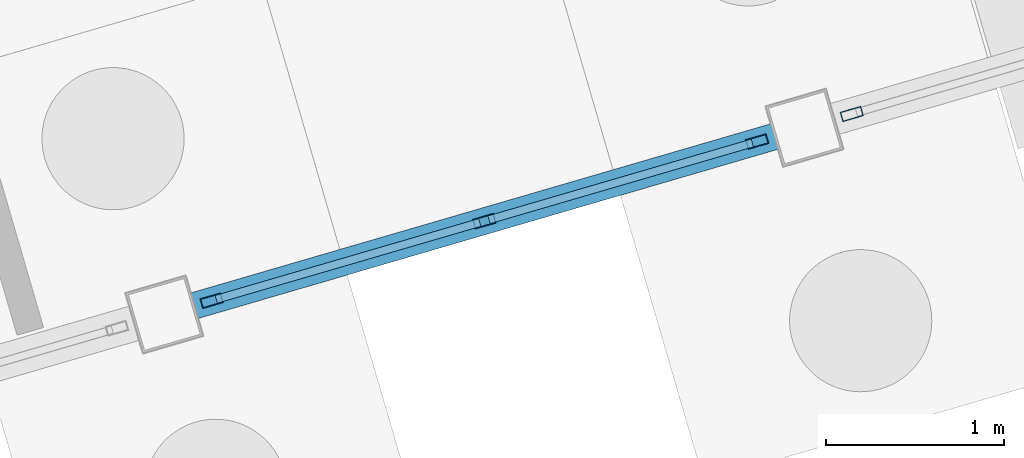
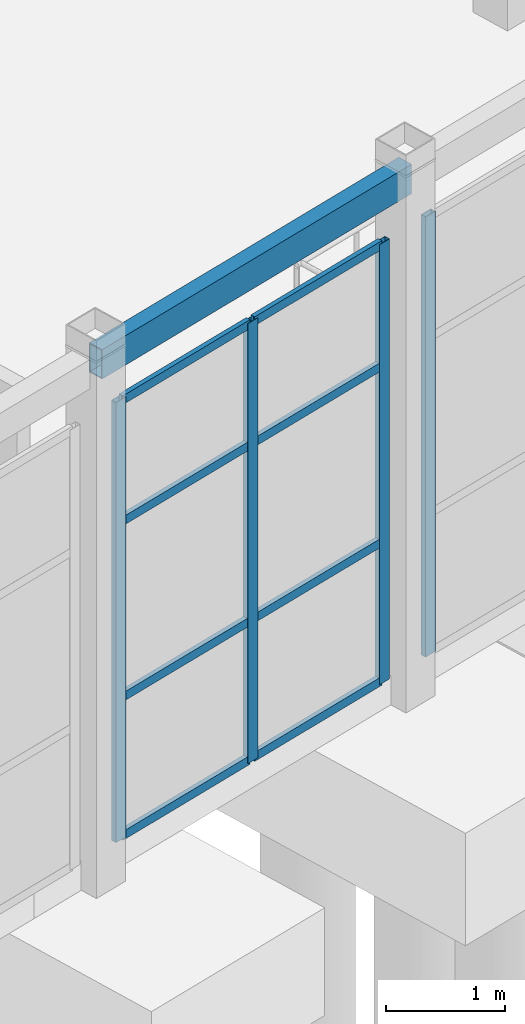
# One storey, part 29 of 90: 12 members, 1 beam, 2 elements without a shape of their own.
"""IFC4 building model written with IfcOpenShell, lengths in metres."""

from ifc_helpers import new_model, si_unit, direction, frame, origin, origin_2d, place, context, subcontext, project, spatial, hollow_rectangle, extrude, material, layer, layer_set, material_profile, profile_set, type_object, element, aggregate, save


model = new_model("IFC4")

# Units and contexts
model_context = context("Model", 3, precision=1e-05, world=origin(), true_north=direction((0.0, 1.0)))
body_context = subcontext(model_context, "Body", "Model", "MODEL_VIEW")
ifc_project = project(units=[si_unit("LENGTHUNIT", "METRE"), si_unit("AREAUNIT", "SQUARE_METRE"), si_unit("VOLUMEUNIT", "CUBIC_METRE"), si_unit("PLANEANGLEUNIT", "RADIAN"), si_unit("MASSUNIT", "GRAM", prefix="KILO")], contexts=[model_context])

# Site, building, storey
site_placement = place(None, origin())
site = spatial("IfcSite", under=ifc_project, at=site_placement, CompositionType="ELEMENT")
building_placement = place(site_placement, origin())
building = spatial("IfcBuilding", under=site, at=building_placement, Name="Canggui Botanical Conservatory", CompositionType="ELEMENT")
storey_placement = place(building_placement, origin())
storey = spatial("IfcBuildingStorey", under=building, at=storey_placement, Name="L01", CompositionType="ELEMENT", Elevation=0.0)

# Beam
ifc_material_1 = material(Name="Steel Q355B", Category="steel")
ifc_material_profile_1 = material_profile(ifc_material_1, hollow_rectangle(XDim=0.14990234375, YDim=0.300048828125, WallThickness=0.010009765625, at=origin_2d()), Name="RHS 150x300x10")
ifc_profile_set_1 = profile_set([ifc_material_profile_1], Name="Steel Q355B")
beam_type = type_object("IfcBeamType", Name="BM-GL12", PredefinedType="BEAM", material=ifc_profile_set_1)
beam_placement = place(storey_placement, frame((38.0, 47.25, 5.02490234375), z_axis=(0.959998541695, 0.280004999853, 0.0), x_axis=(-0.280004999853, 0.959998541695, 0.0)))
element("IfcBeam", 1, at=beam_placement, inside=storey, type_object=beam_type, Name="Conservatory Skywalk Perimeter Girder V0-06", PredefinedType="BEAM", context=body_context, shape_type="SweptSolid", body=[
    extrude(hollow_rectangle(XDim=0.14990234375, YDim=0.300048828125, WallThickness=0.010009765625, at=origin_2d()), origin(), (0.0, 0.0, 1.0), 3.75),
])

# Curtain wall, members
ifc_material_2 = material(Name="Thermally Broken Aluminium", Category="aluminium")
ifc_layer = layer(ifc_material_2, 0.1201171875, Name="Thermally Broken Aluminium", Category="aluminium")
ifc_layer_set = layer_set([ifc_layer], Name="Thermally Broken Aluminium")
curtain_wall_type = type_object("IfcCurtainWallType", Name="CW-STICK-B", PredefinedType="USERDEFINED", material=ifc_layer_set)
curtain_wall_1_placement = place(storey_placement, origin())
curtain_wall_1 = element("IfcCurtainWall", 2, at=curtain_wall_1_placement, inside=storey, type_object=curtain_wall_type, Name="Facade Curtain Wall CW-CONS-L01-V0-06", ObjectType="STICK GLAZED WALL", PredefinedType="USERDEFINED")
ifc_material_profile_2 = material_profile(ifc_material_2, hollow_rectangle(XDim=0.054931640625, YDim=0.1201171875, WallThickness=0.0029296875, at=origin_2d()), Name="CWM 55x120x3")
ifc_profile_set_2 = profile_set([ifc_material_profile_2], Name="Thermally Broken Aluminium")
member_type_1 = type_object("IfcMemberType", Name="CWM-05", PredefinedType="MULLION", material=ifc_profile_set_2)
member_1_placement = place(storey_placement, frame((41.33349609375, 48.222412109375, 0.0), z_axis=(0.0, 0.0, 1.0), x_axis=(0.279999999995, -0.960000000002, 0.0)))
member_1 = element("IfcMember", 3, at=member_1_placement, type_object=member_type_1, Name="CW-05 mullion 1", PredefinedType="MULLION", context=body_context, shape_type="SweptSolid", body=[
    extrude(hollow_rectangle(XDim=0.054931640625, YDim=0.1201171875, WallThickness=0.0029296875, at=origin_2d()), origin(), (0.0, 0.0, 1.0), 4.5),
])
member_2_placement = place(storey_placement, frame((39.800048828125, 47.77490234375, 0.0), z_axis=(0.0, 0.0, 1.0), x_axis=(0.279999999995, -0.960000000002, 0.0)))
member_2 = element("IfcMember", 4, at=member_2_placement, type_object=member_type_1, Name="CW-05 mullion 2", PredefinedType="MULLION", context=body_context, shape_type="SweptSolid", body=[
    extrude(hollow_rectangle(XDim=0.054931640625, YDim=0.1201171875, WallThickness=0.0029296875, at=origin_2d()), origin(), (0.0, 0.0, 1.0), 4.5),
])
member_3_placement = place(storey_placement, frame((38.266357421875, 47.32763671875, 0.0), z_axis=(0.0, 0.0, 1.0), x_axis=(0.279999999995, -0.960000000002, 0.0)))
member_3 = element("IfcMember", 5, at=member_3_placement, type_object=member_type_1, Name="CW-05 mullion 3", PredefinedType="MULLION", context=body_context, shape_type="SweptSolid", body=[
    extrude(hollow_rectangle(XDim=0.054931640625, YDim=0.1201171875, WallThickness=0.0029296875, at=origin_2d()), origin(), (0.0, 0.0, 1.0), 4.5),
])

# Curtain wall, member
curtain_wall_2_placement = place(storey_placement, origin())
curtain_wall_2 = element("IfcCurtainWall", 6, at=curtain_wall_2_placement, inside=storey, type_object=curtain_wall_type, Name="Facade Curtain Wall CW-CONS-L01-V0-07", ObjectType="STICK GLAZED WALL", PredefinedType="USERDEFINED")
member_4_placement = place(storey_placement, frame((41.866455078125, 48.377685546875, 0.0), z_axis=(0.0, 0.0, 1.0), x_axis=(0.279999999995, -0.960000000002, 0.0)))
member_4 = element("IfcMember", 7, at=member_4_placement, type_object=member_type_1, Name="CW-05 mullion 3", PredefinedType="MULLION", context=body_context, shape_type="SweptSolid", body=[
    extrude(hollow_rectangle(XDim=0.054931640625, YDim=0.1201171875, WallThickness=0.0029296875, at=origin_2d()), origin(), (0.0, 0.0, 1.0), 4.5),
])
aggregate(curtain_wall_2, [member_4])

# Member
ifc_material_profile_3 = material_profile(ifc_material_2, hollow_rectangle(XDim=0.044921875, YDim=0.090087890625, WallThickness=0.0029296875, at=origin_2d()), Name="CWT 45x90x3")
ifc_profile_set_3 = profile_set([ifc_material_profile_3], Name="Thermally Broken Aluminium")
member_type_2 = type_object("IfcMemberType", Name="CWT-05", PredefinedType="USERDEFINED", material=ifc_profile_set_3)
member_5_placement = place(storey_placement, frame((41.30712890625, 48.214599609375, 0.0224609375), z_axis=(-0.959998227189, -0.280006078137, 0.0), x_axis=(0.280006078137, -0.959998227189, 0.0)))
member_5 = element("IfcMember", 8, at=member_5_placement, type_object=member_type_2, Name="CW-05 transom 1.1", ObjectType="TRANSOM", PredefinedType="USERDEFINED", context=body_context, shape_type="SweptSolid", body=[
    extrude(hollow_rectangle(XDim=0.044921875, YDim=0.090087890625, WallThickness=0.0029296875, at=origin_2d()), origin(), (0.0, 0.0, 1.0), 1.54248046875),
])

member_6_placement = place(storey_placement, frame((41.30712890625, 48.214599609375, 1.43994140625), z_axis=(-0.959998227189, -0.280006078137, 0.0), x_axis=(0.280006078137, -0.959998227189, 0.0)))
member_6 = element("IfcMember", 9, at=member_6_placement, type_object=member_type_2, Name="CW-05 transom 1.2", ObjectType="TRANSOM", PredefinedType="USERDEFINED", context=body_context, shape_type="SweptSolid", body=[
    extrude(hollow_rectangle(XDim=0.044921875, YDim=0.090087890625, WallThickness=0.0029296875, at=origin_2d()), origin(), (0.0, 0.0, 1.0), 1.54248046875),
])

member_7_placement = place(storey_placement, frame((41.30712890625, 48.214599609375, 3.239990234375), z_axis=(-0.959998227189, -0.280006078137, 0.0), x_axis=(0.280006078137, -0.959998227189, 0.0)))
member_7 = element("IfcMember", 10, at=member_7_placement, type_object=member_type_2, Name="CW-05 transom 1.3", ObjectType="TRANSOM", PredefinedType="USERDEFINED", context=body_context, shape_type="SweptSolid", body=[
    extrude(hollow_rectangle(XDim=0.044921875, YDim=0.090087890625, WallThickness=0.0029296875, at=origin_2d()), origin(), (0.0, 0.0, 1.0), 1.54248046875),
])

member_8_placement = place(storey_placement, frame((41.30712890625, 48.214599609375, 4.4775390625), z_axis=(-0.959998227189, -0.280006078137, 0.0), x_axis=(0.280006078137, -0.959998227189, 0.0)))
member_8 = element("IfcMember", 11, at=member_8_placement, type_object=member_type_2, Name="CW-05 transom 1.4", ObjectType="TRANSOM", PredefinedType="USERDEFINED", context=body_context, shape_type="SweptSolid", body=[
    extrude(hollow_rectangle(XDim=0.044921875, YDim=0.090087890625, WallThickness=0.0029296875, at=origin_2d()), origin(), (0.0, 0.0, 1.0), 1.54248046875),
])

member_9_placement = place(storey_placement, frame((39.773681640625, 47.767333984375, 0.0224609375), z_axis=(-0.96001063444, -0.279963536486, 0.0), x_axis=(0.279963536486, -0.96001063444, 0.0)))
member_9 = element("IfcMember", 12, at=member_9_placement, type_object=member_type_2, Name="CW-05 transom 2.1", ObjectType="TRANSOM", PredefinedType="USERDEFINED", context=body_context, shape_type="SweptSolid", body=[
    extrude(hollow_rectangle(XDim=0.044921875, YDim=0.090087890625, WallThickness=0.0029296875, at=origin_2d()), origin(), (0.0, 0.0, 1.0), 1.542724609375),
])

member_10_placement = place(storey_placement, frame((39.773681640625, 47.767333984375, 1.43994140625), z_axis=(-0.96001063444, -0.279963536486, 0.0), x_axis=(0.279963536486, -0.96001063444, 0.0)))
member_10 = element("IfcMember", 13, at=member_10_placement, type_object=member_type_2, Name="CW-05 transom 2.2", ObjectType="TRANSOM", PredefinedType="USERDEFINED", context=body_context, shape_type="SweptSolid", body=[
    extrude(hollow_rectangle(XDim=0.044921875, YDim=0.090087890625, WallThickness=0.0029296875, at=origin_2d()), origin(), (0.0, 0.0, 1.0), 1.542724609375),
])

member_11_placement = place(storey_placement, frame((39.773681640625, 47.767333984375, 3.239990234375), z_axis=(-0.96001063444, -0.279963536486, 0.0), x_axis=(0.279963536486, -0.96001063444, 0.0)))
member_11 = element("IfcMember", 14, at=member_11_placement, type_object=member_type_2, Name="CW-05 transom 2.3", ObjectType="TRANSOM", PredefinedType="USERDEFINED", context=body_context, shape_type="SweptSolid", body=[
    extrude(hollow_rectangle(XDim=0.044921875, YDim=0.090087890625, WallThickness=0.0029296875, at=origin_2d()), origin(), (0.0, 0.0, 1.0), 1.542724609375),
])

member_12_placement = place(storey_placement, frame((39.773681640625, 47.767333984375, 4.4775390625), z_axis=(-0.96001063444, -0.279963536486, 0.0), x_axis=(0.279963536486, -0.96001063444, 0.0)))
member_12 = element("IfcMember", 15, at=member_12_placement, type_object=member_type_2, Name="CW-05 transom 2.4", ObjectType="TRANSOM", PredefinedType="USERDEFINED", context=body_context, shape_type="SweptSolid", body=[
    extrude(hollow_rectangle(XDim=0.044921875, YDim=0.090087890625, WallThickness=0.0029296875, at=origin_2d()), origin(), (0.0, 0.0, 1.0), 1.542724609375),
])

aggregate(curtain_wall_1, [member_1, member_2, member_3, member_5, member_6, member_7, member_8, member_9, member_10, member_11, member_12])

save(model, "model.ifc")
